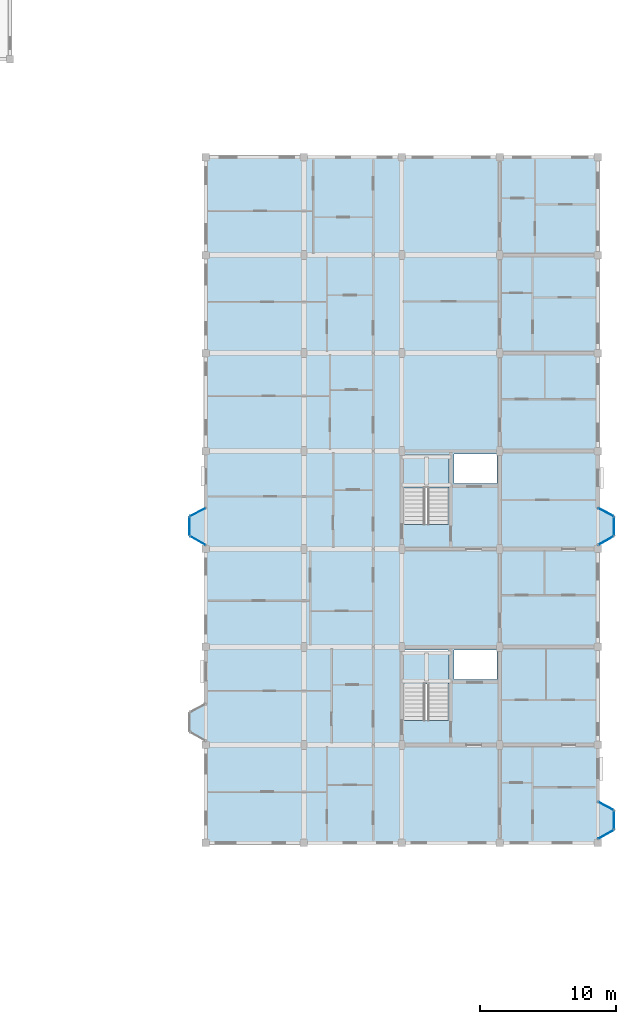
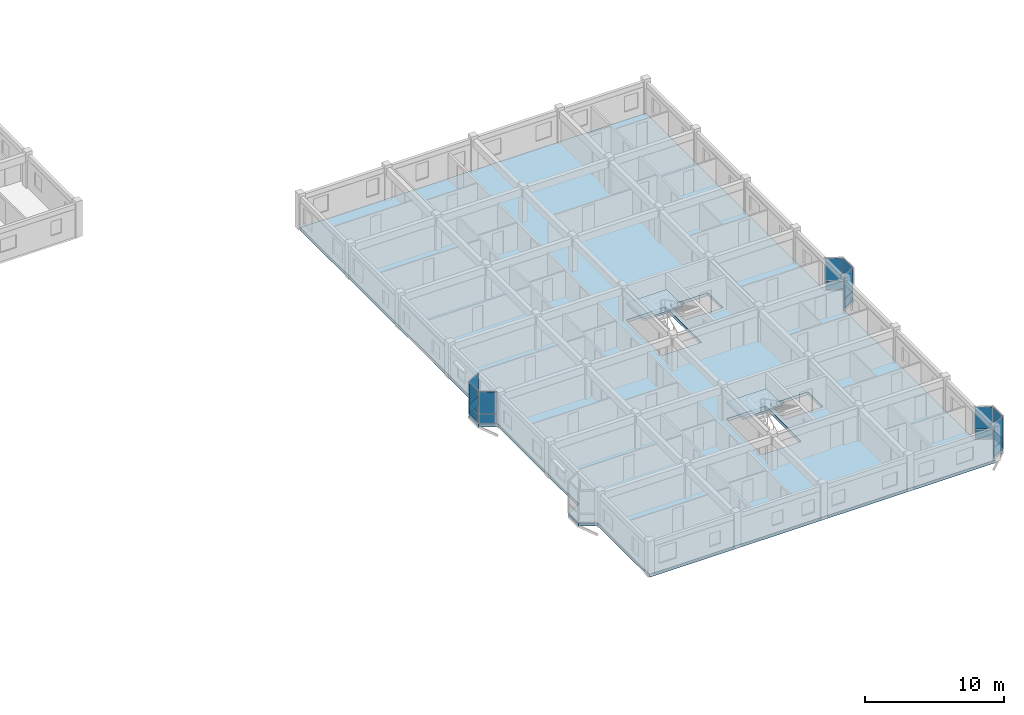
# One storey, part 48 of 77: 18 plates, 3 slabs, 11 elements without a shape of their own.
"""IFC4 building model written with IfcOpenShell, lengths in metres."""

from ifc_helpers import new_model, si_unit, direction, frame, origin, origin_2d, place, context, subcontext, project, spatial, polyline, rectangle, outline, extrude, material, layer, layer_set, type_object, element, aggregate, save


model = new_model("IFC4")

# Units and contexts
model_context = context("Model", 3, precision=1e-05, world=origin(), true_north=direction((0.0, 1.0)))
body_context = subcontext(model_context, "Body", "Model", "MODEL_VIEW")
ifc_project = project(units=[si_unit("LENGTHUNIT", "METRE"), si_unit("AREAUNIT", "SQUARE_METRE"), si_unit("VOLUMEUNIT", "CUBIC_METRE"), si_unit("PLANEANGLEUNIT", "RADIAN"), si_unit("MASSUNIT", "GRAM", prefix="KILO"), si_unit("THERMODYNAMICTEMPERATUREUNIT", "KELVIN"), si_unit("POWERUNIT", "WATT")], contexts=[model_context])

# Site, building, storey
site_placement = place(None, origin())
site = spatial("IfcSite", under=ifc_project, at=site_placement, CompositionType="ELEMENT")
building_placement = place(site_placement, origin())
building = spatial("IfcBuilding", under=site, at=building_placement, Name="Tavuni Mirador Residences", CompositionType="ELEMENT")
storey_placement = place(building_placement, frame((0.0, 0.0, 10.800048828125)))
storey = spatial("IfcBuildingStorey", under=building, at=storey_placement, Name="L03", CompositionType="ELEMENT", Elevation=10.800048828125)

# Curtain wall, plate
ifc_material_1 = material(Name="Anodised aluminium", Category="aluminium")
ifc_layer_1 = layer(ifc_material_1, 0.1650390625, Name="Anodised aluminium", Category="aluminium")
ifc_layer_set_1 = layer_set([ifc_layer_1], Name="Anodised aluminium")
curtain_wall_type_1 = type_object("IfcCurtainWallType", Name="CWT-MIR-A", PredefinedType="NOTDEFINED", material=ifc_layer_set_1)
curtain_wall_1_placement = place(storey_placement, origin())
curtain_wall_1 = element("IfcCurtainWall", 1, at=curtain_wall_1_placement, inside=storey, type_object=curtain_wall_type_1, Name="CW-MIR-D-E1-L03-M2", PredefinedType="NOTDEFINED")
ifc_material_2 = material(Name="Laminated solar-control glass", Category="glass")
ifc_layer_2 = layer(ifc_material_2, 0.02392578125, Name="Laminated solar-control glass", Category="glass")
ifc_layer_set_2 = layer_set([ifc_layer_2], Name="Laminated solar-control glass")
plate_type_1 = type_object("IfcPlateType", Name="CWP-GL24", PredefinedType="CURTAIN_PANEL", material=ifc_layer_set_2)
plate_1_placement = place(storey_placement, frame((119.39990234375, 89.10009765625, 0.8798828125), z_axis=(0.0, 0.0, 1.0), x_axis=(-0.882352941175, 0.470588235296, 0.0)))
plate_1 = element("IfcPlate", 2, at=plate_1_placement, type_object=plate_type_1, Name="CW-01 panel 1.2", PredefinedType="CURTAIN_PANEL", context=body_context, shape_type="SweptSolid", body=[
    extrude(rectangle(XDim=1.239990234375, YDim=0.02392578125, at=origin_2d()), origin(), (0.0, 0.0, 1.0), 1.949951171875),
])

curtain_wall_2_placement = place(storey_placement, origin())
curtain_wall_2 = element("IfcCurtainWall", 3, at=curtain_wall_2_placement, inside=storey, type_object=curtain_wall_type_1, Name="CW-MIR-D-W2-L03-M1", PredefinedType="NOTDEFINED")
plate_2_placement = place(storey_placement, frame((89.39990234375, 110.699951171875, 0.8798828125), z_axis=(0.0, 0.0, 1.0), x_axis=(-0.882352941175, -0.470588235296, 0.0)))
plate_2 = element("IfcPlate", 4, at=plate_2_placement, type_object=plate_type_1, Name="CW-01 panel 1.2", PredefinedType="CURTAIN_PANEL", context=body_context, shape_type="SweptSolid", body=[
    extrude(rectangle(XDim=1.239990234375, YDim=0.02392578125, at=origin_2d()), origin(), (0.0, 0.0, 1.0), 1.949951171875),
])

ifc_layer_3 = layer(ifc_material_1, 0.14990234375, Name="Anodised aluminium", Category="aluminium")
ifc_layer_set_3 = layer_set([ifc_layer_3], Name="Anodised aluminium")
curtain_wall_type_2 = type_object("IfcCurtainWallType", Name="CWT-MIR-B", PredefinedType="NOTDEFINED", material=ifc_layer_set_3)
curtain_wall_3_placement = place(storey_placement, origin())
curtain_wall_3 = element("IfcCurtainWall", 5, at=curtain_wall_3_placement, inside=storey, type_object=curtain_wall_type_2, Name="CW-MIR-D-E2-L03-M1", PredefinedType="NOTDEFINED")
ifc_layer_4 = layer(ifc_material_2, 0.028076171875, Name="Laminated solar-control glass", Category="glass")
ifc_layer_set_4 = layer_set([ifc_layer_4], Name="Laminated solar-control glass")
plate_type_2 = type_object("IfcPlateType", Name="CWP-GL28", PredefinedType="CURTAIN_PANEL", material=ifc_layer_set_4)
plate_3_placement = place(storey_placement, frame((119.39990234375, 108.617431640625, 0.882568359375), z_axis=(0.0, 0.0, 1.0), x_axis=(0.868465738194, 0.495749192217, 0.0)))
plate_3 = element("IfcPlate", 6, at=plate_3_placement, type_object=plate_type_2, Name="CW-02 panel 1.2", PredefinedType="CURTAIN_PANEL", context=body_context, shape_type="SweptSolid", body=[
    extrude(rectangle(XDim=1.251708984375, YDim=0.028076171875, at=origin_2d()), origin(), (0.0, 0.0, 1.0), 1.9423828125),
])

curtain_wall_4_placement = place(storey_placement, origin())
curtain_wall_4 = element("IfcCurtainWall", 7, at=curtain_wall_4_placement, inside=storey, type_object=curtain_wall_type_2, Name="CW-MIR-D-W2-L03-MF", PredefinedType="NOTDEFINED")
plate_4_placement = place(storey_placement, frame((88.800048828125, 109.669921875, 0.882568359375), z_axis=(0.0, 0.0, 1.0), x_axis=(0.0, -1.0, 0.0)))
plate_4 = element("IfcPlate", 8, at=plate_4_placement, type_object=plate_type_2, Name="CW-02 panel 1.2", PredefinedType="CURTAIN_PANEL", context=body_context, shape_type="SweptSolid", body=[
    extrude(rectangle(XDim=1.2900390625, YDim=0.028076171875, at=origin_2d()), origin(), (0.0, 0.0, 1.0), 1.9423828125),
])

ifc_layer_5 = layer(ifc_material_1, 0.175048828125, Name="Anodised aluminium", Category="aluminium")
ifc_layer_set_5 = layer_set([ifc_layer_5], Name="Anodised aluminium")
curtain_wall_type_3 = type_object("IfcCurtainWallType", Name="CWT-MIR-C", PredefinedType="NOTDEFINED", material=ifc_layer_set_5)
curtain_wall_5_placement = place(storey_placement, origin())
curtain_wall_5 = element("IfcCurtainWall", 9, at=curtain_wall_5_placement, inside=storey, type_object=curtain_wall_type_3, Name="CW-MIR-D-E1-L03-M1", PredefinedType="NOTDEFINED")
ifc_layer_6 = layer(ifc_material_2, 0.031982421875, Name="Laminated solar-control glass", Category="glass")
ifc_layer_set_6 = layer_set([ifc_layer_6], Name="Laminated solar-control glass")
plate_type_3 = type_object("IfcPlateType", Name="CWP-GL32", PredefinedType="CURTAIN_PANEL", material=ifc_layer_set_6)
plate_5_placement = place(storey_placement, frame((119.39990234375, 87.017578125, 0.8798828125), z_axis=(0.0, 0.0, 1.0), x_axis=(0.868465738194, 0.495749192217, 0.0)))
plate_5 = element("IfcPlate", 10, at=plate_5_placement, type_object=plate_type_3, Name="CW-03 panel 1.2", PredefinedType="CURTAIN_PANEL", context=body_context, shape_type="SweptSolid", body=[
    extrude(rectangle(XDim=1.26171875, YDim=0.031982421875, at=origin_2d()), origin(), (0.0, 0.0, 1.0), 1.949951171875),
])

curtain_wall_6_placement = place(storey_placement, origin())
curtain_wall_6 = element("IfcCurtainWall", 11, at=curtain_wall_6_placement, inside=storey, type_object=curtain_wall_type_3, Name="CW-MIR-D-E2-L03-MF", PredefinedType="NOTDEFINED")
plate_6_placement = place(storey_placement, frame((120.0, 109.669921875, 0.8798828125), z_axis=(0.0, 0.0, 1.0), x_axis=(0.0, 1.0, 0.0)))
plate_6 = element("IfcPlate", 12, at=plate_6_placement, type_object=plate_type_3, Name="CW-03 panel 1.2", PredefinedType="CURTAIN_PANEL", context=body_context, shape_type="SweptSolid", body=[
    extrude(rectangle(XDim=1.300048828125, YDim=0.031982421875, at=origin_2d()), origin(), (0.0, 0.0, 1.0), 1.949951171875),
])

curtain_wall_7_placement = place(storey_placement, origin())
curtain_wall_7 = element("IfcCurtainWall", 13, at=curtain_wall_7_placement, inside=storey, type_object=curtain_wall_type_3, Name="CW-MIR-D-W2-L03-M2", PredefinedType="NOTDEFINED")
plate_7_placement = place(storey_placement, frame((89.39990234375, 108.617431640625, 0.8798828125), z_axis=(0.0, 0.0, 1.0), x_axis=(0.868465738194, -0.495749192217, 0.0)))
plate_7 = element("IfcPlate", 14, at=plate_7_placement, type_object=plate_type_3, Name="CW-03 panel 1.2", PredefinedType="CURTAIN_PANEL", context=body_context, shape_type="SweptSolid", body=[
    extrude(rectangle(XDim=1.26171875, YDim=0.031982421875, at=origin_2d()), origin(), (0.0, 0.0, 1.0), 1.949951171875),
])

ifc_layer_7 = layer(ifc_material_1, 0.159912109375, Name="Anodised aluminium", Category="aluminium")
ifc_layer_set_7 = layer_set([ifc_layer_7], Name="Anodised aluminium")
curtain_wall_type_4 = type_object("IfcCurtainWallType", Name="CWT-MIR-D", PredefinedType="NOTDEFINED", material=ifc_layer_set_7)
curtain_wall_8_placement = place(storey_placement, origin())
curtain_wall_8 = element("IfcCurtainWall", 15, at=curtain_wall_8_placement, inside=storey, type_object=curtain_wall_type_4, Name="CW-MIR-D-E1-L03-MF", PredefinedType="NOTDEFINED")
ifc_layer_8 = layer(ifc_material_2, 0.035888671875, Name="Laminated solar-control glass", Category="glass")
ifc_layer_set_8 = layer_set([ifc_layer_8], Name="Laminated solar-control glass")
plate_type_4 = type_object("IfcPlateType", Name="CWP-GL36", PredefinedType="CURTAIN_PANEL", material=ifc_layer_set_8)
plate_8_placement = place(storey_placement, frame((120.0, 88.070068359375, 0.882568359375), z_axis=(0.0, 0.0, 1.0), x_axis=(0.0, 1.0, 0.0)))
plate_8 = element("IfcPlate", 16, at=plate_8_placement, type_object=plate_type_4, Name="CW-04 panel 1.2", PredefinedType="CURTAIN_PANEL", context=body_context, shape_type="SweptSolid", body=[
    extrude(rectangle(XDim=1.2900390625, YDim=0.035888671875, at=origin_2d()), origin(), (0.0, 0.0, 1.0), 1.9423828125),
])

curtain_wall_9_placement = place(storey_placement, origin())
curtain_wall_9 = element("IfcCurtainWall", 17, at=curtain_wall_9_placement, inside=storey, type_object=curtain_wall_type_4, Name="CW-MIR-D-E2-L03-M2", PredefinedType="NOTDEFINED")
plate_9_placement = place(storey_placement, frame((119.39990234375, 110.699951171875, 0.882568359375), z_axis=(0.0, 0.0, 1.0), x_axis=(-0.882352941175, 0.470588235296, 0.0)))
plate_9 = element("IfcPlate", 18, at=plate_9_placement, type_object=plate_type_4, Name="CW-04 panel 1.2", PredefinedType="CURTAIN_PANEL", context=body_context, shape_type="SweptSolid", body=[
    extrude(rectangle(XDim=1.22998046875, YDim=0.035888671875, at=origin_2d()), origin(), (0.0, 0.0, 1.0), 1.9423828125),
])

# Plate
ifc_material_3 = material(Name="Ceramic trencadis mosaic panel", Category="masonry")
ifc_layer_9 = layer(ifc_material_3, 0.0419921875, Name="Ceramic trencadis mosaic panel", Category="masonry")
ifc_layer_set_9 = layer_set([ifc_layer_9], Name="Ceramic trencadis mosaic panel")
plate_type_5 = type_object("IfcPlateType", Name="CWP-SP42", PredefinedType="CURTAIN_PANEL", material=ifc_layer_set_9)
plate_10_placement = place(storey_placement, frame((119.39990234375, 87.017578125, 0.06005859375), z_axis=(0.0, 0.0, 1.0), x_axis=(0.868465738194, 0.495749192217, 0.0)))
plate_10 = element("IfcPlate", 19, at=plate_10_placement, type_object=plate_type_5, Name="CW-03 panel 1.1", PredefinedType="CURTAIN_PANEL", context=body_context, shape_type="SweptSolid", body=[
    extrude(rectangle(XDim=1.26171875, YDim=0.0419921875, at=origin_2d()), origin(), (0.0, 0.0, 1.0), 0.760009765625),
])

aggregate(curtain_wall_5, [plate_10, plate_5])

plate_11_placement = place(storey_placement, frame((119.39990234375, 89.10009765625, 0.06005859375), z_axis=(0.0, 0.0, 1.0), x_axis=(-0.882352941175, 0.470588235296, 0.0)))
plate_11 = element("IfcPlate", 20, at=plate_11_placement, type_object=plate_type_5, Name="CW-01 panel 1.1", PredefinedType="CURTAIN_PANEL", context=body_context, shape_type="SweptSolid", body=[
    extrude(rectangle(XDim=1.239990234375, YDim=0.0419921875, at=origin_2d()), origin(), (0.0, 0.0, 1.0), 0.760009765625),
])

aggregate(curtain_wall_1, [plate_11, plate_1])

plate_12_placement = place(storey_placement, frame((120.0, 109.669921875, 0.06005859375), z_axis=(0.0, 0.0, 1.0), x_axis=(0.0, 1.0, 0.0)))
plate_12 = element("IfcPlate", 21, at=plate_12_placement, type_object=plate_type_5, Name="CW-03 panel 1.1", PredefinedType="CURTAIN_PANEL", context=body_context, shape_type="SweptSolid", body=[
    extrude(rectangle(XDim=1.300048828125, YDim=0.0419921875, at=origin_2d()), origin(), (0.0, 0.0, 1.0), 0.760009765625),
])

aggregate(curtain_wall_6, [plate_12, plate_6])

plate_13_placement = place(storey_placement, frame((89.39990234375, 110.699951171875, 0.06005859375), z_axis=(0.0, 0.0, 1.0), x_axis=(-0.882352941175, -0.470588235296, 0.0)))
plate_13 = element("IfcPlate", 22, at=plate_13_placement, type_object=plate_type_5, Name="CW-01 panel 1.1", PredefinedType="CURTAIN_PANEL", context=body_context, shape_type="SweptSolid", body=[
    extrude(rectangle(XDim=1.239990234375, YDim=0.0419921875, at=origin_2d()), origin(), (0.0, 0.0, 1.0), 0.760009765625),
])

aggregate(curtain_wall_2, [plate_13, plate_2])

plate_14_placement = place(storey_placement, frame((89.39990234375, 108.617431640625, 0.06005859375), z_axis=(0.0, 0.0, 1.0), x_axis=(0.868465738194, -0.495749192217, 0.0)))
plate_14 = element("IfcPlate", 23, at=plate_14_placement, type_object=plate_type_5, Name="CW-03 panel 1.1", PredefinedType="CURTAIN_PANEL", context=body_context, shape_type="SweptSolid", body=[
    extrude(rectangle(XDim=1.26171875, YDim=0.0419921875, at=origin_2d()), origin(), (0.0, 0.0, 1.0), 0.760009765625),
])

aggregate(curtain_wall_7, [plate_14, plate_7])

ifc_layer_10 = layer(ifc_material_3, 0.048095703125, Name="Ceramic trencadis mosaic panel", Category="masonry")
ifc_layer_set_10 = layer_set([ifc_layer_10], Name="Ceramic trencadis mosaic panel")
plate_type_6 = type_object("IfcPlateType", Name="CWP-SP48", PredefinedType="CURTAIN_PANEL", material=ifc_layer_set_10)
plate_15_placement = place(storey_placement, frame((120.0, 88.070068359375, 0.06494140625), z_axis=(0.0, 0.0, 1.0), x_axis=(0.0, 1.0, 0.0)))
plate_15 = element("IfcPlate", 24, at=plate_15_placement, type_object=plate_type_6, Name="CW-04 panel 1.1", PredefinedType="CURTAIN_PANEL", context=body_context, shape_type="SweptSolid", body=[
    extrude(rectangle(XDim=1.2900390625, YDim=0.048095703125, at=origin_2d()), origin(), (0.0, 0.0, 1.0), 0.75244140625),
])

aggregate(curtain_wall_8, [plate_15, plate_8])

plate_16_placement = place(storey_placement, frame((119.39990234375, 108.617431640625, 0.06494140625), z_axis=(0.0, 0.0, 1.0), x_axis=(0.868465738194, 0.495749192217, 0.0)))
plate_16 = element("IfcPlate", 25, at=plate_16_placement, type_object=plate_type_6, Name="CW-02 panel 1.1", PredefinedType="CURTAIN_PANEL", context=body_context, shape_type="SweptSolid", body=[
    extrude(rectangle(XDim=1.251708984375, YDim=0.048095703125, at=origin_2d()), origin(), (0.0, 0.0, 1.0), 0.75244140625),
])

aggregate(curtain_wall_3, [plate_16, plate_3])

plate_17_placement = place(storey_placement, frame((119.39990234375, 110.699951171875, 0.06494140625), z_axis=(0.0, 0.0, 1.0), x_axis=(-0.882352941175, 0.470588235296, 0.0)))
plate_17 = element("IfcPlate", 26, at=plate_17_placement, type_object=plate_type_6, Name="CW-04 panel 1.1", PredefinedType="CURTAIN_PANEL", context=body_context, shape_type="SweptSolid", body=[
    extrude(rectangle(XDim=1.22998046875, YDim=0.048095703125, at=origin_2d()), origin(), (0.0, 0.0, 1.0), 0.75244140625),
])

aggregate(curtain_wall_9, [plate_17, plate_9])

plate_18_placement = place(storey_placement, frame((88.800048828125, 109.669921875, 0.06494140625), z_axis=(0.0, 0.0, 1.0), x_axis=(0.0, -1.0, 0.0)))
plate_18 = element("IfcPlate", 27, at=plate_18_placement, type_object=plate_type_6, Name="CW-02 panel 1.1", PredefinedType="CURTAIN_PANEL", context=body_context, shape_type="SweptSolid", body=[
    extrude(rectangle(XDim=1.2900390625, YDim=0.048095703125, at=origin_2d()), origin(), (0.0, 0.0, 1.0), 0.75244140625),
])

aggregate(curtain_wall_4, [plate_18, plate_4])

# Slab
ifc_material_4 = material(Name="Prestressed concrete C45/55", Category="concrete")
ifc_layer_11 = layer(ifc_material_4, 0.260009765625, Name="Prestressed concrete C45/55", Category="concrete")
ifc_layer_set_11 = layer_set([ifc_layer_11], Name="Prestressed concrete C45/55")
slab_type_1 = type_object("IfcSlabType", Name="SLT-FLR260", PredefinedType="FLOOR", material=ifc_layer_set_11)
slab_1_placement = place(storey_placement, frame((0.0, 0.0, -0.260009765625)))
element("IfcSlab", 28, at=slab_1_placement, inside=storey, type_object=slab_type_1, Name="SLB-BLK-D-L03", PredefinedType="FLOOR", context=body_context, shape_type="SweptSolid", body=[
    extrude(outline(polyline([(90.0, 86.39990234375), (118.800048828125, 86.39990234375), (118.800048828125, 86.675048828125), (120.0, 87.360107421875), (120.0, 88.780029296875), (118.800048828125, 89.419921875), (118.800048828125, 108.27490234375), (120.0, 108.9599609375), (120.0, 110.3798828125), (118.800048828125, 111.02001953125), (118.800048828125, 136.800048828125), (90.0, 136.800048828125), (90.0, 111.02001953125), (88.800048828125, 110.3798828125), (88.800048828125, 108.9599609375), (90.0, 108.27490234375), (90.0, 96.6201171875), (88.800048828125, 95.97998046875), (88.800048828125, 94.56005859375), (90.0, 93.875), (90.0, 86.39990234375)]), holes=[polyline([(104.56005859375, 95.407958984375), (107.840087890625, 95.407958984375), (107.840087890625, 100.56005859375), (104.56005859375, 100.56005859375), (104.56005859375, 95.407958984375)]), polyline([(108.219970703125, 98.419921875), (111.3798828125, 98.419921875), (111.3798828125, 100.580078125), (108.219970703125, 100.580078125), (108.219970703125, 98.419921875)]), polyline([(104.56005859375, 109.80810546875), (107.840087890625, 109.80810546875), (107.840087890625, 114.9599609375), (104.56005859375, 114.9599609375), (104.56005859375, 109.80810546875)]), polyline([(108.219970703125, 112.820068359375), (111.3798828125, 112.820068359375), (111.3798828125, 114.97998046875), (108.219970703125, 114.97998046875), (108.219970703125, 112.820068359375)])]), origin(), (0.0, 0.0, 1.0), 0.260009765625),
])

# Stair, slab
ifc_material_5 = material(Name="Precast concrete C40/50", Category="concrete")
stair_type = type_object("IfcStairType", Name="STT-TYP", PredefinedType="HALF_TURN_STAIR", material=ifc_material_5)
stair_1_placement = place(storey_placement, origin())
stair_1 = element("IfcStair", 29, at=stair_1_placement, inside=storey, type_object=stair_type, Name="Protected exit stair ST7 (L03)", PredefinedType="HALF_TURN_STAIR")
ifc_layer_12 = layer(ifc_material_5, 0.179931640625, Name="Precast concrete C40/50", Category="concrete")
ifc_layer_set_12 = layer_set([ifc_layer_12], Name="Precast concrete C40/50")
slab_type_2 = type_object("IfcSlabType", Name="SLT-LND180", PredefinedType="LANDING", material=ifc_layer_set_12)
slab_2_placement = place(storey_placement, frame((0.0, 0.0, 1.39501953125)))
slab_2 = element("IfcSlab", 30, at=slab_2_placement, type_object=slab_type_2, Name="ST7 landing 1", PredefinedType="LANDING", context=body_context, shape_type="SweptSolid", body=[
    extrude(outline(polyline([(104.5400390625, 98.092041015625), (107.860107421875, 98.092041015625), (107.860107421875, 100.5), (104.5400390625, 100.5), (104.5400390625, 98.092041015625)])), origin(), (0.0, 0.0, 1.0), 0.179931640625),
])
aggregate(stair_1, [slab_2])

stair_2_placement = place(storey_placement, origin())
stair_2 = element("IfcStair", 31, at=stair_2_placement, inside=storey, type_object=stair_type, Name="Protected exit stair ST8 (L03)", PredefinedType="HALF_TURN_STAIR")
slab_3_placement = place(storey_placement, frame((0.0, 0.0, 1.39501953125)))
slab_3 = element("IfcSlab", 32, at=slab_3_placement, type_object=slab_type_2, Name="ST8 landing 1", PredefinedType="LANDING", context=body_context, shape_type="SweptSolid", body=[
    extrude(outline(polyline([(104.5400390625, 112.491943359375), (107.860107421875, 112.491943359375), (107.860107421875, 114.89990234375), (104.5400390625, 114.89990234375), (104.5400390625, 112.491943359375)])), origin(), (0.0, 0.0, 1.0), 0.179931640625),
])
aggregate(stair_2, [slab_3])

save(model, "model.ifc")
